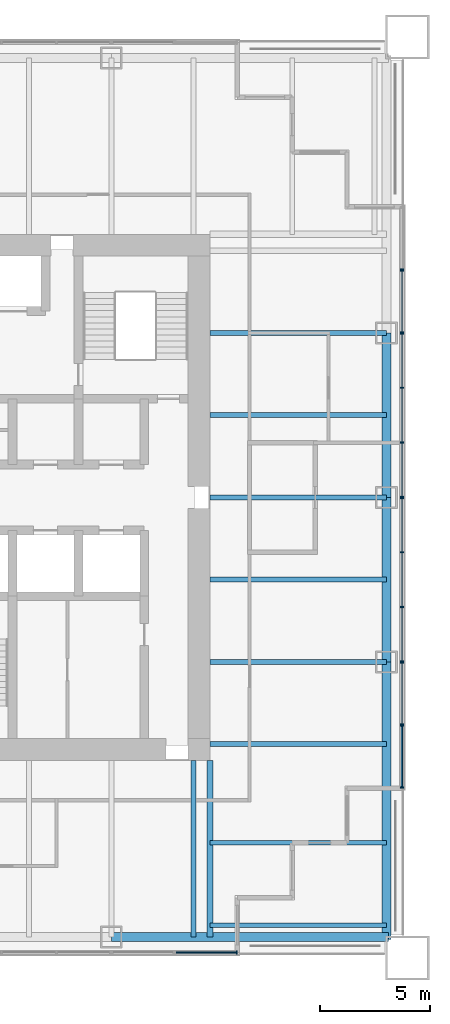
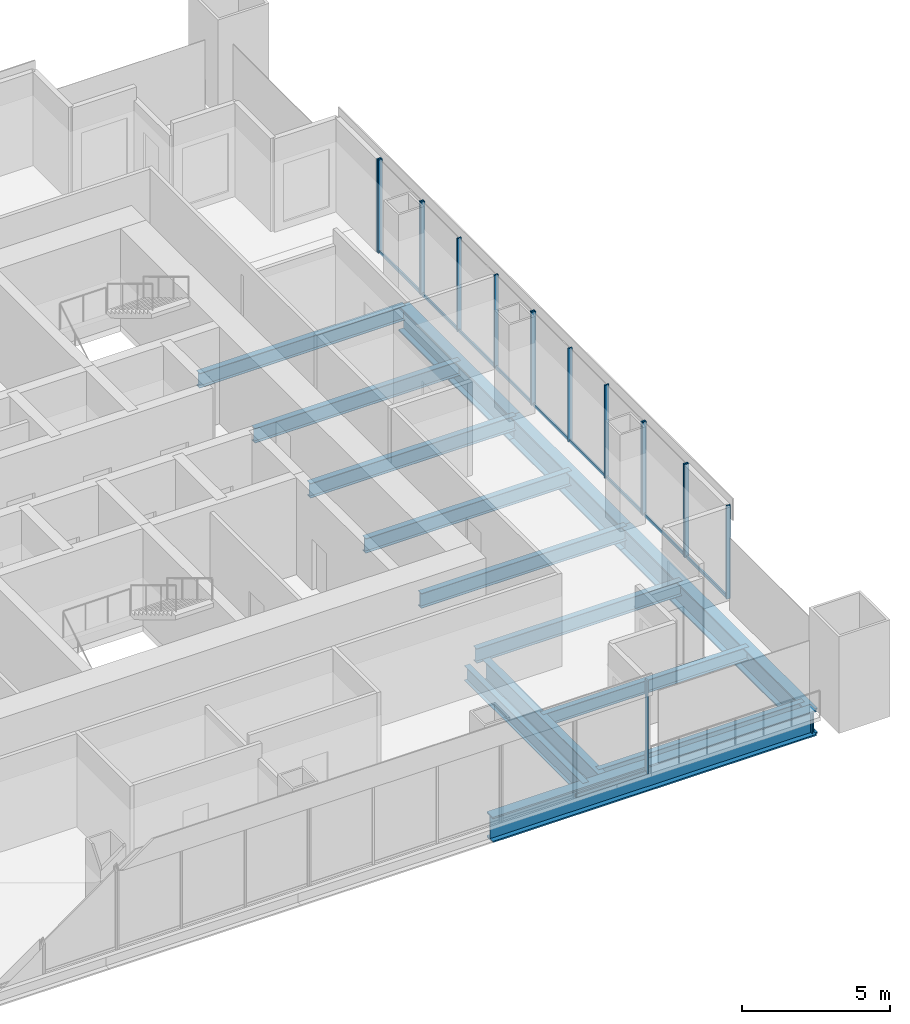
# One storey, part 5 of 14: 26 members, 14 beams, 7 elements without a shape of their own.
"""IFC4 building model written with IfcOpenShell, lengths in metres."""

from ifc_helpers import new_model, si_unit, direction, frame, origin, origin_2d, place, context, subcontext, project, spatial, rectangle, i_section, extrude, material, material_profile, profile_set, type_object, element, aggregate, save


model = new_model("IFC4")

# Units and contexts
model_context = context("Model", 3, precision=1e-05, world=origin(), true_north=direction((0.0, 1.0)))
body_context = subcontext(model_context, "Body", "Model", "MODEL_VIEW")
ifc_project = project(units=[si_unit("LENGTHUNIT", "METRE"), si_unit("AREAUNIT", "SQUARE_METRE"), si_unit("VOLUMEUNIT", "CUBIC_METRE"), si_unit("PLANEANGLEUNIT", "RADIAN"), si_unit("MASSUNIT", "GRAM", prefix="KILO")], contexts=[model_context])

# Site, building, storey
site_placement = place(None, origin())
site = spatial("IfcSite", under=ifc_project, at=site_placement, CompositionType="ELEMENT")
building_placement = place(site_placement, origin())
building = spatial("IfcBuilding", under=site, at=building_placement, Name="Tarangal Relay Tower", CompositionType="ELEMENT")
storey_placement = place(building_placement, frame((0.0, 0.0, 263.89990234375)))
storey = spatial("IfcBuildingStorey", under=building, at=storey_placement, Name="L57", CompositionType="ELEMENT", Elevation=263.89990234375)

# Beams
ifc_material_1 = material(Name="Steel ASTM A992", Category="steel")
ifc_material_profile_1 = material_profile(ifc_material_1, i_section(OverallWidth=0.209228515625, OverallDepth=0.533447265625, WebThickness=0.01025390625, FlangeThickness=0.015625, at=origin_2d()), Name="W21X62")
ifc_profile_set_1 = profile_set([ifc_material_profile_1], Name="Steel ASTM A992")
beam_type_1 = type_object("IfcBeamType", Name="Corner beam W21X62", PredefinedType="JOIST", material=ifc_profile_set_1)
for number, where, z_axis, x_axis, name in (
    (1, (12.0, -15.75, -0.41650390625), (1.0, 0.0, 0.0), (0.0, 1.0, 0.0), "Corner beam CB12 E L57"),
    (2, (12.0, -19.5, -0.41650390625), (1.0, 0.0, 0.0), (0.0, 1.0, 0.0), "Corner beam CB12 E L57"),
):
    element("IfcBeam", number, at=place(storey_placement, frame(where, z_axis=z_axis, x_axis=x_axis)), inside=storey, type_object=beam_type_1, Name=name, PredefinedType="JOIST", context=body_context, shape_type="SweptSolid", body=[
        extrude(i_section(OverallWidth=0.209228515625, OverallDepth=0.533447265625, WebThickness=0.01025390625, FlangeThickness=0.015625, at=origin_2d()), origin(), (0.0, 0.0, 1.0), 8.0400390625),
    ])
ifc_material_profile_2 = material_profile(ifc_material_1, i_section(OverallWidth=0.2919921875, OverallDepth=0.8408203125, WebThickness=0.0146484375, FlangeThickness=0.021728515625, at=origin_2d()), Name="W33X130")
ifc_profile_set_2 = profile_set([ifc_material_profile_2], Name="Steel ASTM A992")
beam_type_2 = type_object("IfcBeamType", Name="Corner girder W33X130", PredefinedType="BEAM", material=ifc_profile_set_2)
beam_placement = place(storey_placement, frame((12.0, -12.0, -0.5703125), z_axis=(0.0, -1.0, 0.0), x_axis=(1.0, 0.0, 0.0)))
element("IfcBeam", 3, at=beam_placement, inside=storey, type_object=beam_type_2, Name="Corner girder CG5 E L57", PredefinedType="BEAM", context=body_context, shape_type="SweptSolid", body=[
    extrude(i_section(OverallWidth=0.2919921875, OverallDepth=0.8408203125, WebThickness=0.0146484375, FlangeThickness=0.021728515625, at=origin_2d()), origin(), (0.0, 0.0, 1.0), 8.0400390625),
])
ifc_material_profile_3 = material_profile(ifc_material_1, i_section(OverallWidth=0.41162109375, OverallDepth=1.049072265625, WebThickness=0.033935546875, FlangeThickness=0.059814453125, at=origin_2d()), Name="W40X431")
ifc_profile_set_3 = profile_set([ifc_material_profile_3], Name="Steel ASTM A992")
beam_type_3 = type_object("IfcBeamType", Name="Edge girder W40X431", PredefinedType="SPANDREL", material=ifc_profile_set_3)
for number, where, z_axis, x_axis, name in (
    (4, (20.0400390625, 7.5, -0.67431640625), (0.0, -1.0, 0.0), (1.0, 0.0, 0.0), "Edge girder EG1 E L57"),
    (5, (20.0400390625, 0.0, -0.67431640625), (0.0, -1.0, 0.0), (1.0, 0.0, 0.0), "Edge girder EG1 E L57"),
):
    element("IfcBeam", number, at=place(storey_placement, frame(where, z_axis=z_axis, x_axis=x_axis)), inside=storey, type_object=beam_type_3, Name=name, PredefinedType="SPANDREL", context=body_context, shape_type="SweptSolid", body=[
        extrude(i_section(OverallWidth=0.41162109375, OverallDepth=1.049072265625, WebThickness=0.033935546875, FlangeThickness=0.059814453125, at=origin_2d()), origin(), (0.0, 0.0, 1.0), 7.5),
    ])
for number, where, z_axis, x_axis, name in (
    (6, (20.0400390625, -7.5, -0.67431640625), (0.0, -1.0, 0.0), (1.0, 0.0, 0.0), "Edge girder EG1 E L57"),
    (7, (20.14990234375, -20.0400390625, -0.67431640625), (-1.0, 0.0, 0.0), (0.0, -1.0, 0.0), "Edge girder EG1 S L57"),
):
    element("IfcBeam", number, at=place(storey_placement, frame(where, z_axis=z_axis, x_axis=x_axis)), inside=storey, type_object=beam_type_3, Name=name, PredefinedType="SPANDREL", context=body_context, shape_type="SweptSolid", body=[
        extrude(i_section(OverallWidth=0.41162109375, OverallDepth=1.049072265625, WebThickness=0.033935546875, FlangeThickness=0.059814453125, at=origin_2d()), origin(), (0.0, 0.0, 1.0), 12.64990234375),
    ])
ifc_material_profile_4 = material_profile(ifc_material_1, i_section(OverallWidth=0.228271484375, OverallDepth=0.607177734375, WebThickness=0.01123046875, FlangeThickness=0.017333984375, at=origin_2d()), Name="W24X76")
ifc_profile_set_4 = profile_set([ifc_material_profile_4], Name="Steel ASTM A992")
beam_type_4 = type_object("IfcBeamType", Name="Floor beam W24X76", PredefinedType="BEAM", material=ifc_profile_set_4)
for number, where, z_axis, x_axis, name in (
    (8, (12.0, 7.5, -0.453369140625), (1.0, 0.0, 0.0), (0.0, 1.0, 0.0), "Floor beam RB5 E L57"),
    (9, (12.0, 3.75, -0.453369140625), (1.0, 0.0, 0.0), (0.0, 1.0, 0.0), "Floor beam RB5 E L57"),
    (10, (12.0, 0.0, -0.453369140625), (1.0, 0.0, 0.0), (0.0, 1.0, 0.0), "Floor beam RB5 E L57"),
    (11, (12.0, -3.75, -0.453369140625), (1.0, 0.0, 0.0), (0.0, 1.0, 0.0), "Floor beam RB5 E L57"),
    (12, (12.0, -7.5, -0.453369140625), (1.0, 0.0, 0.0), (0.0, 1.0, 0.0), "Floor beam RB5 E L57"),
    (13, (12.0, -11.25, -0.453369140625), (1.0, 0.0, 0.0), (0.0, 1.0, 0.0), "Floor beam RB5 E L57"),
    (14, (11.25, -12.0, -0.453369140625), (0.0, -1.0, 0.0), (1.0, 0.0, 0.0), "Floor beam RB5 S L57"),
):
    element("IfcBeam", number, at=place(storey_placement, frame(where, z_axis=z_axis, x_axis=x_axis)), inside=storey, type_object=beam_type_4, Name=name, PredefinedType="BEAM", context=body_context, shape_type="SweptSolid", body=[
        extrude(i_section(OverallWidth=0.228271484375, OverallDepth=0.607177734375, WebThickness=0.01123046875, FlangeThickness=0.017333984375, at=origin_2d()), origin(), (0.0, 0.0, 1.0), 8.0400390625),
    ])

# Curtain wall, members
ifc_material_2 = material(Name="Unitised curtain wall, dark glass and black aluminium", Category="aluminium")
curtain_wall_type_1 = type_object("IfcCurtainWallType", Name="Curtain wall CW-B", PredefinedType="USERDEFINED", material=ifc_material_2)
curtain_wall_1_placement = place(storey_placement, origin())
curtain_wall_1 = element("IfcCurtainWall", 15, at=curtain_wall_1_placement, inside=storey, type_object=curtain_wall_type_1, Name="Curtain wall CW-B E facade L57", ObjectType="UNITISED CURTAIN WALL", PredefinedType="USERDEFINED")
ifc_material_3 = material(Name="Black anodised aluminium mullion", Category="aluminium")
ifc_material_profile_5 = material_profile(ifc_material_3, rectangle(XDim=0.159912109375, YDim=0.06005859375, at=origin_2d()), Name="CW-BM 60X160")
ifc_profile_set_5 = profile_set([ifc_material_profile_5], Name="Black anodised aluminium mullion")
member_type_1 = type_object("IfcMemberType", Name="Mullion CW-B 60 x 160", PredefinedType="MULLION", material=ifc_profile_set_5)
member_1_placement = place(storey_placement, frame((20.75, 10.344970703125, 0.0), z_axis=(0.0, 0.0, 1.0), x_axis=(1.0, 0.0, 0.0)))
member_1 = element("IfcMember", 16, at=member_1_placement, type_object=member_type_1, Name="CW-B mullion 1", PredefinedType="MULLION", context=body_context, shape_type="SweptSolid", body=[
    extrude(rectangle(XDim=0.159912109375, YDim=0.06005859375, at=origin_2d()), origin(), (0.0, 0.0, 1.0), 3.85009765625),
])
member_2_placement = place(storey_placement, frame((20.75, 7.530029296875, 0.0), z_axis=(0.0, 0.0, 1.0), x_axis=(1.0, 0.0, 0.0)))
member_2 = element("IfcMember", 17, at=member_2_placement, type_object=member_type_1, Name="CW-B mullion 2", PredefinedType="MULLION", context=body_context, shape_type="SweptSolid", body=[
    extrude(rectangle(XDim=0.159912109375, YDim=0.06005859375, at=origin_2d()), origin(), (0.0, 0.0, 1.0), 3.85009765625),
])

curtain_wall_2_placement = place(storey_placement, origin())
curtain_wall_2 = element("IfcCurtainWall", 18, at=curtain_wall_2_placement, inside=storey, type_object=curtain_wall_type_1, Name="Curtain wall CW-B E facade L57", ObjectType="UNITISED CURTAIN WALL", PredefinedType="USERDEFINED")
member_3_placement = place(storey_placement, frame((20.75, 7.469970703125, 0.0), z_axis=(0.0, 0.0, 1.0), x_axis=(1.0, 0.0, 0.0)))
member_3 = element("IfcMember", 19, at=member_3_placement, type_object=member_type_1, Name="CW-B mullion 1", PredefinedType="MULLION", context=body_context, shape_type="SweptSolid", body=[
    extrude(rectangle(XDim=0.159912109375, YDim=0.06005859375, at=origin_2d()), origin(), (0.0, 0.0, 1.0), 3.85009765625),
])
member_4_placement = place(storey_placement, frame((20.75, 5.0, 0.0), z_axis=(0.0, 0.0, 1.0), x_axis=(1.0, 0.0, 0.0)))
member_4 = element("IfcMember", 20, at=member_4_placement, type_object=member_type_1, Name="CW-B mullion 2", PredefinedType="MULLION", context=body_context, shape_type="SweptSolid", body=[
    extrude(rectangle(XDim=0.159912109375, YDim=0.06005859375, at=origin_2d()), origin(), (0.0, 0.0, 1.0), 3.85009765625),
])
member_5_placement = place(storey_placement, frame((20.75, 2.5, 0.0), z_axis=(0.0, 0.0, 1.0), x_axis=(1.0, 0.0, 0.0)))
member_5 = element("IfcMember", 21, at=member_5_placement, type_object=member_type_1, Name="CW-B mullion 3", PredefinedType="MULLION", context=body_context, shape_type="SweptSolid", body=[
    extrude(rectangle(XDim=0.159912109375, YDim=0.06005859375, at=origin_2d()), origin(), (0.0, 0.0, 1.0), 3.85009765625),
])
member_6_placement = place(storey_placement, frame((20.75, 0.030029296875, 0.0), z_axis=(0.0, 0.0, 1.0), x_axis=(1.0, 0.0, 0.0)))
member_6 = element("IfcMember", 22, at=member_6_placement, type_object=member_type_1, Name="CW-B mullion 4", PredefinedType="MULLION", context=body_context, shape_type="SweptSolid", body=[
    extrude(rectangle(XDim=0.159912109375, YDim=0.06005859375, at=origin_2d()), origin(), (0.0, 0.0, 1.0), 3.85009765625),
])

curtain_wall_3_placement = place(storey_placement, origin())
curtain_wall_3 = element("IfcCurtainWall", 23, at=curtain_wall_3_placement, inside=storey, type_object=curtain_wall_type_1, Name="Curtain wall CW-B E facade L57", ObjectType="UNITISED CURTAIN WALL", PredefinedType="USERDEFINED")
member_7_placement = place(storey_placement, frame((20.75, -0.030029296875, 0.0), z_axis=(0.0, 0.0, 1.0), x_axis=(1.0, 0.0, 0.0)))
member_7 = element("IfcMember", 24, at=member_7_placement, type_object=member_type_1, Name="CW-B mullion 1", PredefinedType="MULLION", context=body_context, shape_type="SweptSolid", body=[
    extrude(rectangle(XDim=0.159912109375, YDim=0.06005859375, at=origin_2d()), origin(), (0.0, 0.0, 1.0), 3.85009765625),
])
member_8_placement = place(storey_placement, frame((20.75, -2.5, 0.0), z_axis=(0.0, 0.0, 1.0), x_axis=(1.0, 0.0, 0.0)))
member_8 = element("IfcMember", 25, at=member_8_placement, type_object=member_type_1, Name="CW-B mullion 2", PredefinedType="MULLION", context=body_context, shape_type="SweptSolid", body=[
    extrude(rectangle(XDim=0.159912109375, YDim=0.06005859375, at=origin_2d()), origin(), (0.0, 0.0, 1.0), 3.85009765625),
])
member_9_placement = place(storey_placement, frame((20.75, -5.0, 0.0), z_axis=(0.0, 0.0, 1.0), x_axis=(1.0, 0.0, 0.0)))
member_9 = element("IfcMember", 26, at=member_9_placement, type_object=member_type_1, Name="CW-B mullion 3", PredefinedType="MULLION", context=body_context, shape_type="SweptSolid", body=[
    extrude(rectangle(XDim=0.159912109375, YDim=0.06005859375, at=origin_2d()), origin(), (0.0, 0.0, 1.0), 3.85009765625),
])
member_10_placement = place(storey_placement, frame((20.75, -7.469970703125, 0.0), z_axis=(0.0, 0.0, 1.0), x_axis=(1.0, 0.0, 0.0)))
member_10 = element("IfcMember", 27, at=member_10_placement, type_object=member_type_1, Name="CW-B mullion 4", PredefinedType="MULLION", context=body_context, shape_type="SweptSolid", body=[
    extrude(rectangle(XDim=0.159912109375, YDim=0.06005859375, at=origin_2d()), origin(), (0.0, 0.0, 1.0), 3.85009765625),
])

curtain_wall_4_placement = place(storey_placement, origin())
curtain_wall_4 = element("IfcCurtainWall", 28, at=curtain_wall_4_placement, inside=storey, type_object=curtain_wall_type_1, Name="Curtain wall CW-B E facade L57", ObjectType="UNITISED CURTAIN WALL", PredefinedType="USERDEFINED")
member_11_placement = place(storey_placement, frame((20.75, -7.530029296875, 0.0), z_axis=(0.0, 0.0, 1.0), x_axis=(1.0, 0.0, 0.0)))
member_11 = element("IfcMember", 29, at=member_11_placement, type_object=member_type_1, Name="CW-B mullion 1", PredefinedType="MULLION", context=body_context, shape_type="SweptSolid", body=[
    extrude(rectangle(XDim=0.159912109375, YDim=0.06005859375, at=origin_2d()), origin(), (0.0, 0.0, 1.0), 3.85009765625),
])
member_12_placement = place(storey_placement, frame((20.75, -10.344970703125, 0.0), z_axis=(0.0, 0.0, 1.0), x_axis=(1.0, 0.0, 0.0)))
member_12 = element("IfcMember", 30, at=member_12_placement, type_object=member_type_1, Name="CW-B mullion 2", PredefinedType="MULLION", context=body_context, shape_type="SweptSolid", body=[
    extrude(rectangle(XDim=0.159912109375, YDim=0.06005859375, at=origin_2d()), origin(), (0.0, 0.0, 1.0), 3.85009765625),
])

# Curtain wall, member
ifc_material_4 = material(Name="Unitised curtain wall frame, black aluminium, with metal clad infill walls", Category="aluminium")
curtain_wall_type_2 = type_object("IfcCurtainWallType", Name="Curtain wall CW-BO", PredefinedType="USERDEFINED", material=ifc_material_4)
curtain_wall_5_placement = place(storey_placement, origin())
curtain_wall_5 = element("IfcCurtainWall", 31, at=curtain_wall_5_placement, inside=storey, type_object=curtain_wall_type_2, Name="Curtain wall CW-BO E facade L57", ObjectType="UNITISED CURTAIN WALL", PredefinedType="USERDEFINED")
ifc_material_profile_6 = material_profile(ifc_material_3, rectangle(XDim=0.159912109375, YDim=0.06005859375, at=origin_2d()), Name="CW-BOM 60X160")
ifc_profile_set_6 = profile_set([ifc_material_profile_6], Name="Black anodised aluminium mullion")
member_type_2 = type_object("IfcMemberType", Name="Mullion CW-BO 60 x 160", PredefinedType="MULLION", material=ifc_profile_set_6)
member_13_placement = place(storey_placement, frame((20.75, 10.405029296875, 0.0), z_axis=(0.0, 0.0, 1.0), x_axis=(1.0, 0.0, 0.0)))
member_13 = element("IfcMember", 32, at=member_13_placement, type_object=member_type_2, Name="CW-BO mullion 2", PredefinedType="MULLION", context=body_context, shape_type="SweptSolid", body=[
    extrude(rectangle(XDim=0.159912109375, YDim=0.06005859375, at=origin_2d()), origin(), (0.0, 0.0, 1.0), 3.85009765625),
])
aggregate(curtain_wall_5, [member_13])

# Curtain wall, members
curtain_wall_6_placement = place(storey_placement, origin())
curtain_wall_6 = element("IfcCurtainWall", 33, at=curtain_wall_6_placement, inside=storey, type_object=curtain_wall_type_2, Name="Curtain wall CW-BO E facade L57", ObjectType="UNITISED CURTAIN WALL", PredefinedType="USERDEFINED")
member_14_placement = place(storey_placement, frame((20.75, -10.405029296875, 0.0), z_axis=(0.0, 0.0, 1.0), x_axis=(1.0, 0.0, 0.0)))
member_14 = element("IfcMember", 34, at=member_14_placement, type_object=member_type_2, Name="CW-BO mullion 1", PredefinedType="MULLION", context=body_context, shape_type="SweptSolid", body=[
    extrude(rectangle(XDim=0.159912109375, YDim=0.06005859375, at=origin_2d()), origin(), (0.0, 0.0, 1.0), 3.85009765625),
])
member_15_placement = place(storey_placement, frame((20.75, -13.219970703125, 0.0), z_axis=(0.0, 0.0, 1.0), x_axis=(1.0, 0.0, 0.0)))
member_15 = element("IfcMember", 35, at=member_15_placement, type_object=member_type_2, Name="CW-BO mullion 2", PredefinedType="MULLION", context=body_context, shape_type="SweptSolid", body=[
    extrude(rectangle(XDim=0.159912109375, YDim=0.06005859375, at=origin_2d()), origin(), (0.0, 0.0, 1.0), 3.85009765625),
])

# Curtain wall, member
curtain_wall_7_placement = place(storey_placement, origin())
curtain_wall_7 = element("IfcCurtainWall", 36, at=curtain_wall_7_placement, inside=storey, type_object=curtain_wall_type_2, Name="Curtain wall CW-BO S facade L57", ObjectType="UNITISED CURTAIN WALL", PredefinedType="USERDEFINED")
member_16_placement = place(storey_placement, frame((13.219970703125, -20.75, 0.0), z_axis=(0.0, 0.0, 1.0), x_axis=(0.0, -1.0, 0.0)))
member_16 = element("IfcMember", 37, at=member_16_placement, type_object=member_type_2, Name="CW-BO mullion 1", PredefinedType="MULLION", context=body_context, shape_type="SweptSolid", body=[
    extrude(rectangle(XDim=0.159912109375, YDim=0.06005859375, at=origin_2d()), origin(), (0.0, 0.0, 1.0), 3.85009765625),
])

# Member
ifc_material_5 = material(Name="Black anodised aluminium transom", Category="aluminium")
ifc_material_profile_7 = material_profile(ifc_material_5, rectangle(XDim=0.06005859375, YDim=0.1298828125, at=origin_2d()), Name="CW-BT 60X130")
ifc_profile_set_7 = profile_set([ifc_material_profile_7], Name="Black anodised aluminium transom")
member_type_3 = type_object("IfcMemberType", Name="Transom CW-B 60 x 130", PredefinedType="USERDEFINED", material=ifc_profile_set_7)
member_17_placement = place(storey_placement, frame((20.75, 10.31494140625, 0.030029296875), z_axis=(0.0, -1.0, 0.0), x_axis=(1.0, 0.0, 0.0)))
member_17 = element("IfcMember", 38, at=member_17_placement, type_object=member_type_3, Name="CW-B transom 1.1", ObjectType="TRANSOM", PredefinedType="USERDEFINED", context=body_context, shape_type="SweptSolid", body=[
    extrude(rectangle(XDim=0.06005859375, YDim=0.1298828125, at=origin_2d()), origin(), (0.0, 0.0, 1.0), 2.7548828125),
])

aggregate(curtain_wall_1, [member_1, member_2, member_17])

member_18_placement = place(storey_placement, frame((20.75, 7.43994140625, 0.030029296875), z_axis=(0.0, -1.0, 0.0), x_axis=(1.0, 0.0, 0.0)))
member_18 = element("IfcMember", 39, at=member_18_placement, type_object=member_type_3, Name="CW-B transom 1.1", ObjectType="TRANSOM", PredefinedType="USERDEFINED", context=body_context, shape_type="SweptSolid", body=[
    extrude(rectangle(XDim=0.06005859375, YDim=0.1298828125, at=origin_2d()), origin(), (0.0, 0.0, 1.0), 2.409912109375),
])

member_19_placement = place(storey_placement, frame((20.75, 4.969970703125, 0.030029296875), z_axis=(0.0, -1.0, 0.0), x_axis=(1.0, 0.0, 0.0)))
member_19 = element("IfcMember", 40, at=member_19_placement, type_object=member_type_3, Name="CW-B transom 2.1", ObjectType="TRANSOM", PredefinedType="USERDEFINED", context=body_context, shape_type="SweptSolid", body=[
    extrude(rectangle(XDim=0.06005859375, YDim=0.1298828125, at=origin_2d()), origin(), (0.0, 0.0, 1.0), 2.43994140625),
])

member_20_placement = place(storey_placement, frame((20.75, 2.469970703125, 0.030029296875), z_axis=(0.0, -1.0, 0.0), x_axis=(1.0, 0.0, 0.0)))
member_20 = element("IfcMember", 41, at=member_20_placement, type_object=member_type_3, Name="CW-B transom 3.1", ObjectType="TRANSOM", PredefinedType="USERDEFINED", context=body_context, shape_type="SweptSolid", body=[
    extrude(rectangle(XDim=0.06005859375, YDim=0.1298828125, at=origin_2d()), origin(), (0.0, 0.0, 1.0), 2.409912109375),
])

aggregate(curtain_wall_2, [member_3, member_4, member_5, member_6, member_18, member_19, member_20])

member_21_placement = place(storey_placement, frame((20.75, -0.06005859375, 0.030029296875), z_axis=(0.0, -1.0, 0.0), x_axis=(1.0, 0.0, 0.0)))
member_21 = element("IfcMember", 42, at=member_21_placement, type_object=member_type_3, Name="CW-B transom 1.1", ObjectType="TRANSOM", PredefinedType="USERDEFINED", context=body_context, shape_type="SweptSolid", body=[
    extrude(rectangle(XDim=0.06005859375, YDim=0.1298828125, at=origin_2d()), origin(), (0.0, 0.0, 1.0), 2.409912109375),
])

member_22_placement = place(storey_placement, frame((20.75, -2.530029296875, 0.030029296875), z_axis=(0.0, -1.0, 0.0), x_axis=(1.0, 0.0, 0.0)))
member_22 = element("IfcMember", 43, at=member_22_placement, type_object=member_type_3, Name="CW-B transom 2.1", ObjectType="TRANSOM", PredefinedType="USERDEFINED", context=body_context, shape_type="SweptSolid", body=[
    extrude(rectangle(XDim=0.06005859375, YDim=0.1298828125, at=origin_2d()), origin(), (0.0, 0.0, 1.0), 2.43994140625),
])

member_23_placement = place(storey_placement, frame((20.75, -5.030029296875, 0.030029296875), z_axis=(0.0, -1.0, 0.0), x_axis=(1.0, 0.0, 0.0)))
member_23 = element("IfcMember", 44, at=member_23_placement, type_object=member_type_3, Name="CW-B transom 3.1", ObjectType="TRANSOM", PredefinedType="USERDEFINED", context=body_context, shape_type="SweptSolid", body=[
    extrude(rectangle(XDim=0.06005859375, YDim=0.1298828125, at=origin_2d()), origin(), (0.0, 0.0, 1.0), 2.409912109375),
])

aggregate(curtain_wall_3, [member_7, member_8, member_9, member_10, member_21, member_22, member_23])

member_24_placement = place(storey_placement, frame((20.75, -7.56005859375, 0.030029296875), z_axis=(0.0, -1.0, 0.0), x_axis=(1.0, 0.0, 0.0)))
member_24 = element("IfcMember", 45, at=member_24_placement, type_object=member_type_3, Name="CW-B transom 1.1", ObjectType="TRANSOM", PredefinedType="USERDEFINED", context=body_context, shape_type="SweptSolid", body=[
    extrude(rectangle(XDim=0.06005859375, YDim=0.1298828125, at=origin_2d()), origin(), (0.0, 0.0, 1.0), 2.7548828125),
])

aggregate(curtain_wall_4, [member_11, member_12, member_24])

ifc_material_profile_8 = material_profile(ifc_material_5, rectangle(XDim=0.06005859375, YDim=0.1298828125, at=origin_2d()), Name="CW-BOT 60X130")
ifc_profile_set_8 = profile_set([ifc_material_profile_8], Name="Black anodised aluminium transom")
member_type_4 = type_object("IfcMemberType", Name="Transom CW-BO 60 x 130", PredefinedType="USERDEFINED", material=ifc_profile_set_8)
member_25_placement = place(storey_placement, frame((20.75, -10.43505859375, 0.030029296875), z_axis=(0.0, -1.0, 0.0), x_axis=(1.0, 0.0, 0.0)))
member_25 = element("IfcMember", 46, at=member_25_placement, type_object=member_type_4, Name="CW-BO transom 1.1", ObjectType="TRANSOM", PredefinedType="USERDEFINED", context=body_context, shape_type="SweptSolid", body=[
    extrude(rectangle(XDim=0.06005859375, YDim=0.1298828125, at=origin_2d()), origin(), (0.0, 0.0, 1.0), 2.7548828125),
])

aggregate(curtain_wall_6, [member_14, member_15, member_25])

member_26_placement = place(storey_placement, frame((13.18994140625, -20.75, 0.030029296875), z_axis=(-1.0, 0.0, 0.0), x_axis=(0.0, -1.0, 0.0)))
member_26 = element("IfcMember", 47, at=member_26_placement, type_object=member_type_4, Name="CW-BO transom 1.1", ObjectType="TRANSOM", PredefinedType="USERDEFINED", context=body_context, shape_type="SweptSolid", body=[
    extrude(rectangle(XDim=0.06005859375, YDim=0.1298828125, at=origin_2d()), origin(), (0.0, 0.0, 1.0), 2.7548828125),
])

aggregate(curtain_wall_7, [member_16, member_26])

save(model, "model.ifc")
